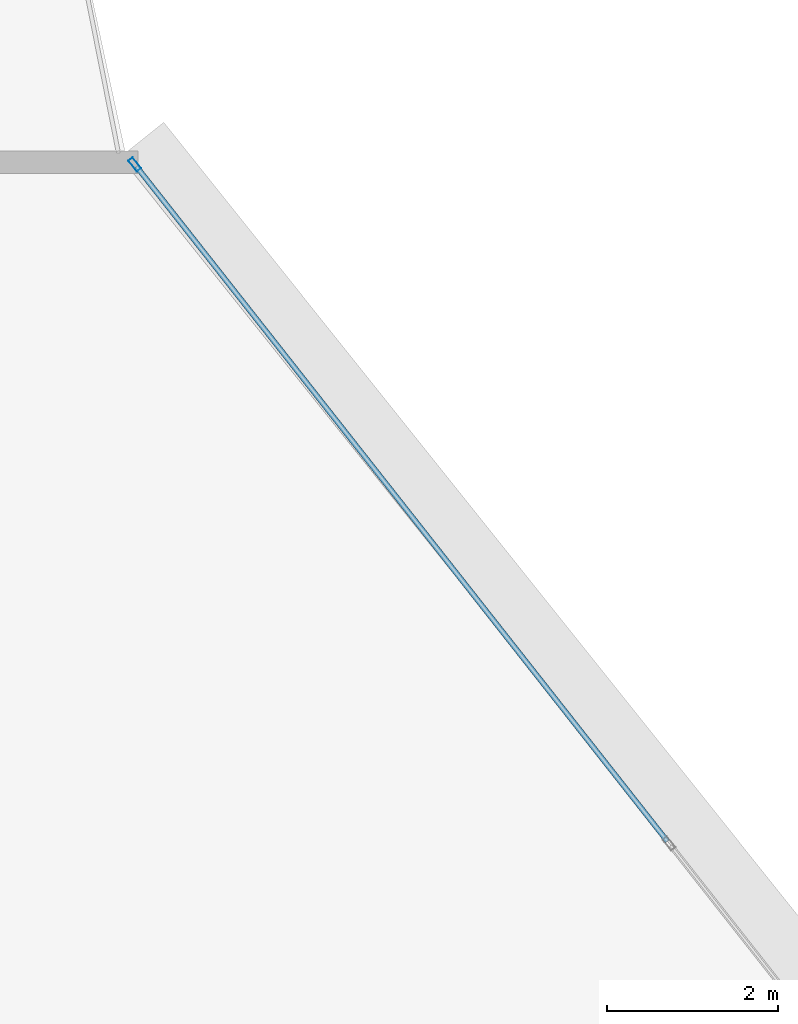
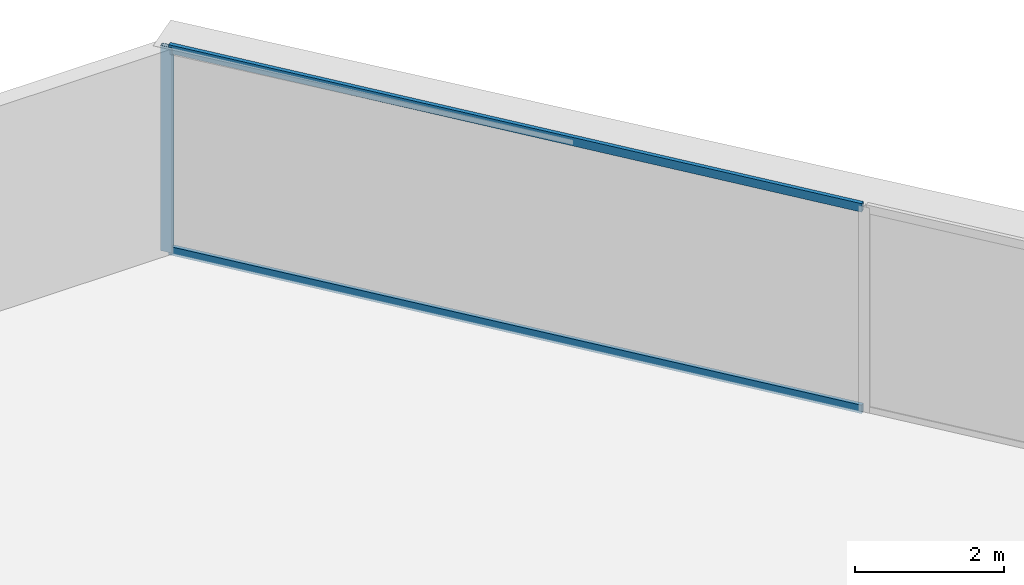
# One storey, part 29 of 42: 3 members, 1 element without a shape of its own.
"""IFC4 building model written with IfcOpenShell, lengths in metres."""

from ifc_helpers import new_model, si_unit, direction, frame, origin, origin_2d, place, context, subcontext, project, spatial, hollow_rectangle, extrude, source, transform, mapped, material, layer, layer_set, material_profile, profile_set, type_object, element, aggregate, save


model = new_model("IFC4")

# Units and contexts
model_context = context("Model", 3, precision=1e-05, world=origin(), true_north=direction((0.0, 1.0)))
body_context = subcontext(model_context, "Body", "Model", "MODEL_VIEW")
ifc_project = project(units=[si_unit("LENGTHUNIT", "METRE"), si_unit("AREAUNIT", "SQUARE_METRE"), si_unit("VOLUMEUNIT", "CUBIC_METRE"), si_unit("PLANEANGLEUNIT", "RADIAN"), si_unit("MASSUNIT", "GRAM", prefix="KILO"), si_unit("THERMODYNAMICTEMPERATUREUNIT", "KELVIN"), si_unit("POWERUNIT", "WATT")], contexts=[model_context])

# Site, building, storey
site_placement = place(None, origin())
site = spatial("IfcSite", under=ifc_project, at=site_placement, CompositionType="ELEMENT")
building_placement = place(site_placement, origin())
building = spatial("IfcBuilding", under=site, at=building_placement, Name="Yunzhuo Pagoda Commons", CompositionType="ELEMENT")
storey_placement = place(building_placement, frame((0.0, 0.0, 41.2900390625)))
storey = spatial("IfcBuildingStorey", under=building, at=storey_placement, Name="L10", CompositionType="ELEMENT", Elevation=41.2900390625)

# Curtain wall, members
ifc_material = material(Name="Anodized aluminium 6063-T6", Category="aluminium")
ifc_layer = layer(ifc_material, 0.1650390625)
ifc_layer_set = layer_set([ifc_layer], Name="Anodized aluminium 6063-T6")
curtain_wall_type = type_object("IfcCurtainWallType", Name="CW-LOW Low-Zone Ribbon Curtain Wall", PredefinedType="NOTDEFINED", material=ifc_layer_set)
curtain_wall_placement = place(storey_placement, origin())
curtain_wall = element("IfcCurtainWall", 1, at=curtain_wall_placement, inside=storey, type_object=curtain_wall_type, Name="L10 curtain wall CW-L10-F2B5", PredefinedType="NOTDEFINED")
ifc_material_profile_1 = material_profile(ifc_material, hollow_rectangle(XDim=0.06494140625, YDim=0.1650390625, WallThickness=0.00390625, at=origin_2d()), Name="Anodized aluminium 6063-T6")
ifc_profile_set_1 = profile_set([ifc_material_profile_1], Name="Anodized aluminium 6063-T6")
member_type_1 = type_object("IfcMemberType", Name="CW-LOW-M Mullion RHS 165x65x4", PredefinedType="MULLION", material=ifc_profile_set_1)
shared_shape_1 = source(origin(), body_context, "Body", "SweptSolid", [
    extrude(hollow_rectangle(XDim=0.06494140625, YDim=0.1650390625, WallThickness=0.00390625, at=origin_2d()), origin(), (0.0, 0.0, 1.0), 3.369873046875),
])
member_1_placement = place(storey_placement, frame((52.73828125, 88.5400390625, 0.0), z_axis=(0.0, 0.0, 1.0), x_axis=(-0.785883026265, -0.61837518468, 0.0)))
member_1 = element("IfcMember", 2, at=member_1_placement, type_object=member_type_1, Name="CW mullion 3", PredefinedType="MULLION", context=body_context, shape_type="MappedRepresentation", body=[
    mapped(shared_shape_1, transform((0.0, 0.0, 0.0), scale=1.0)),
])
ifc_material_profile_2 = material_profile(ifc_material, hollow_rectangle(XDim=0.06005859375, YDim=0.139892578125, WallThickness=0.00341796875, at=origin_2d()), Name="Anodized aluminium 6063-T6")
ifc_profile_set_2 = profile_set([ifc_material_profile_2], Name="Anodized aluminium 6063-T6")
member_type_2 = type_object("IfcMemberType", Name="CW-LOW-T Transom RHS 140x60x3.5", PredefinedType="USERDEFINED", material=ifc_profile_set_2)
shared_shape_2 = source(origin(), body_context, "Body", "SweptSolid", [
    extrude(hollow_rectangle(XDim=0.06005859375, YDim=0.139892578125, WallThickness=0.00341796875, at=origin_2d()), origin(), (0.0, 0.0, 1.0), 10.04248046875),
])
member_2_placement = place(storey_placement, frame((58.968505859375, 80.6220703125, 0.030029296875), z_axis=(-0.618365747767, 0.785890451646, 0.0), x_axis=(-0.785890451646, -0.618365747767, 0.0)))
member_2 = element("IfcMember", 3, at=member_2_placement, type_object=member_type_2, Name="CW transom 2.1", ObjectType="TRANSOM", PredefinedType="USERDEFINED", context=body_context, shape_type="MappedRepresentation", body=[
    mapped(shared_shape_2, transform((0.0, 0.0, 0.0), scale=1.0)),
])
member_3_placement = place(storey_placement, frame((58.968505859375, 80.6220703125, 3.33984375), z_axis=(-0.618365747767, 0.785890451646, 0.0), x_axis=(-0.785890451646, -0.618365747767, 0.0)))
member_3 = element("IfcMember", 4, at=member_3_placement, type_object=member_type_2, Name="CW transom 2.2", ObjectType="TRANSOM", PredefinedType="USERDEFINED", context=body_context, shape_type="MappedRepresentation", body=[
    mapped(shared_shape_2, transform((0.0, 0.0, 0.0), scale=1.0)),
])
aggregate(curtain_wall, [member_1, member_2, member_3])

save(model, "model.ifc")
